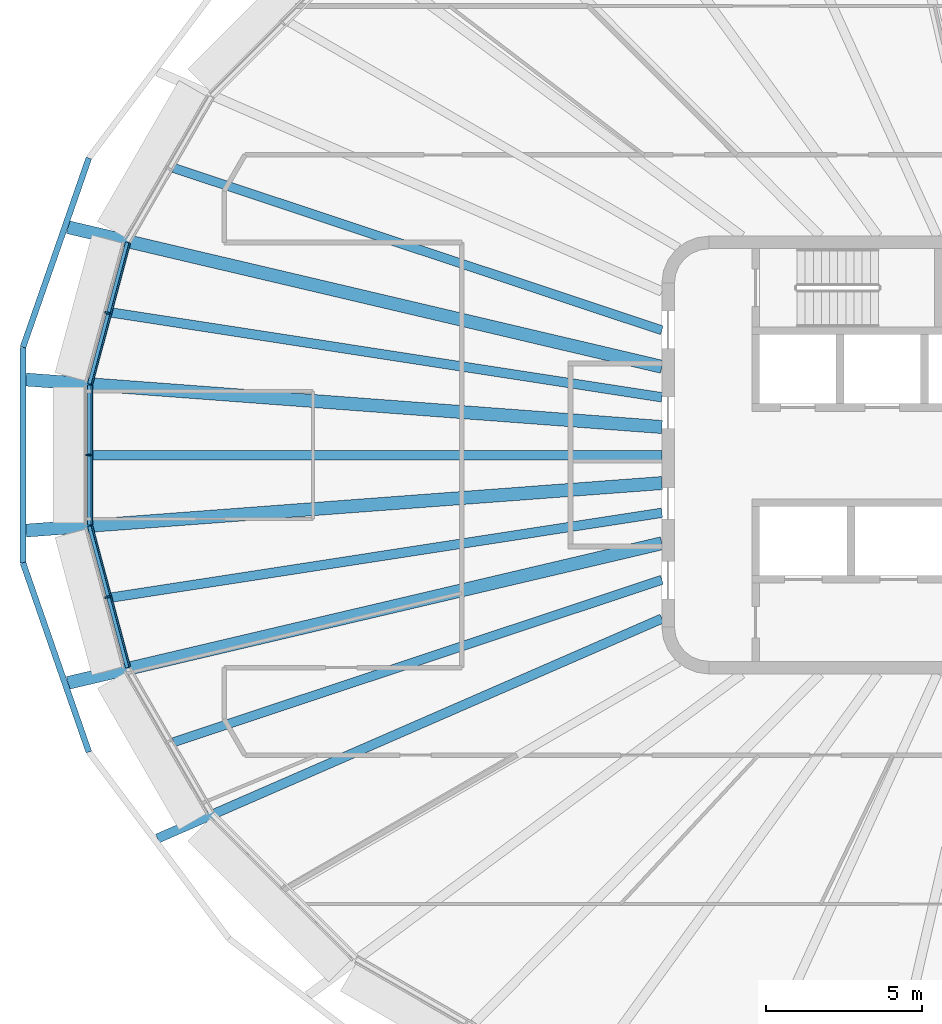
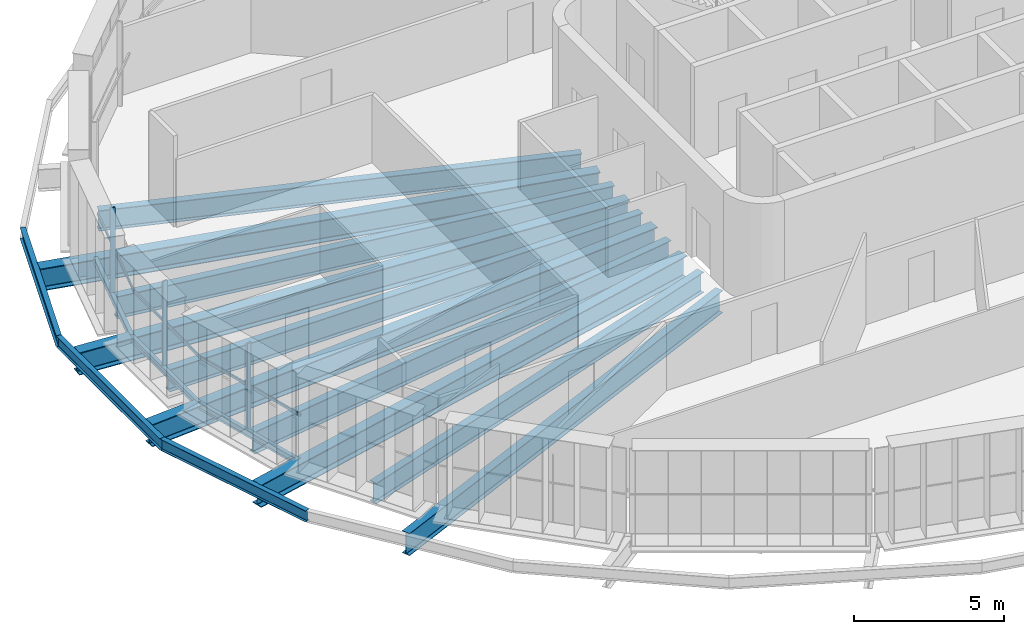
# One storey, part 2 of 19: 16 beams, 6 members, 3 elements without a shape of their own.
"""IFC4 building model written with IfcOpenShell, lengths in metres."""

from ifc_helpers import new_model, si_unit, direction, frame, origin, origin_2d, place, context, subcontext, project, spatial, rectangle, i_section, extrude, material, layer, layer_set, material_profile, profile_set, type_object, element, aggregate, save


model = new_model("IFC4")

# Units and contexts
model_context = context("Model", 3, precision=1e-05, world=origin(), true_north=direction((0.0, 1.0)))
body_context = subcontext(model_context, "Body", "Model", "MODEL_VIEW")
ifc_project = project(units=[si_unit("LENGTHUNIT", "METRE"), si_unit("AREAUNIT", "SQUARE_METRE"), si_unit("VOLUMEUNIT", "CUBIC_METRE"), si_unit("PLANEANGLEUNIT", "RADIAN"), si_unit("MASSUNIT", "GRAM", prefix="KILO")], contexts=[model_context])

# Site, building, storey
site_placement = place(None, origin())
site = spatial("IfcSite", under=ifc_project, at=site_placement, CompositionType="ELEMENT")
building_placement = place(site_placement, origin())
building = spatial("IfcBuilding", under=site, at=building_placement, Name="Sahrelin Media Tower", CompositionType="ELEMENT")
storey_placement = place(building_placement, frame((0.0, 0.0, 241.60009765625)))
storey = spatial("IfcBuildingStorey", under=building, at=storey_placement, Name="L52", CompositionType="ELEMENT", Elevation=241.60009765625)

# Beams
ifc_material_1 = material(Name="Steel S355", Category="steel")
ifc_material_profile_1 = material_profile(ifc_material_1, i_section(OverallWidth=0.14599609375, OverallDepth=0.25146484375, WebThickness=0.006103515625, FlangeThickness=0.008544921875, FilletRadius=0.007568359375, at=origin_2d()), Name="UB 254x146x31")
ifc_profile_set_1 = profile_set([ifc_material_profile_1], Name="Steel S355")
beam_type_1 = type_object("IfcBeamType", Name="Edge beam EB1", PredefinedType="BEAM", material=ifc_profile_set_1)
beam_1_placement = place(storey_placement, frame((-29.082763671875, -6.798095703125, -0.27587890625), z_axis=(-0.258770785767, 0.965938756047, 0.0), x_axis=(-0.965938756047, -0.258770785767, 0.0)))
element("IfcBeam", 1, at=beam_1_placement, inside=storey, type_object=beam_type_1, Name="Edge beam L52-12", PredefinedType="BEAM", context=body_context, shape_type="SweptSolid", body=[
    extrude(i_section(OverallWidth=0.14599609375, OverallDepth=0.25146484375, WebThickness=0.006103515625, FlangeThickness=0.008544921875, FilletRadius=0.007568359375, at=origin_2d()), origin(), (0.0, 0.0, 1.0), 4.68896484375),
])
beam_2_placement = place(storey_placement, frame((-30.300048828125, -2.240234375, -0.27587890625), z_axis=(0.0, 1.0, 0.0), x_axis=(-1.0, 0.0, 0.0)))
element("IfcBeam", 2, at=beam_2_placement, inside=storey, type_object=beam_type_1, Name="Edge beam L52-13", PredefinedType="BEAM", context=body_context, shape_type="SweptSolid", body=[
    extrude(i_section(OverallWidth=0.14599609375, OverallDepth=0.25146484375, WebThickness=0.006103515625, FlangeThickness=0.008544921875, FilletRadius=0.007568359375, at=origin_2d()), origin(), (0.0, 0.0, 1.0), 4.48046875),
])
beam_3_placement = place(storey_placement, frame((-30.296142578125, 2.268798828125, -0.27587890625), z_axis=(0.258770785767, 0.965938756047, 0.0), x_axis=(-0.965938756047, 0.258770785767, 0.0)))
element("IfcBeam", 3, at=beam_3_placement, inside=storey, type_object=beam_type_1, Name="Edge beam L52-14", PredefinedType="BEAM", context=body_context, shape_type="SweptSolid", body=[
    extrude(i_section(OverallWidth=0.14599609375, OverallDepth=0.25146484375, WebThickness=0.006103515625, FlangeThickness=0.008544921875, FilletRadius=0.007568359375, at=origin_2d()), origin(), (0.0, 0.0, 1.0), 4.68896484375),
])

# Curtain wall, member
ifc_material_2 = material(Name="Champagne anodised aluminium 6063-T6", Category="aluminium")
ifc_layer = layer(ifc_material_2, 0.14990234375)
ifc_layer_set = layer_set([ifc_layer], Name="Tower ribbon curtain wall")
curtain_wall_type = type_object("IfcCurtainWallType", Name="Tower ribbon curtain wall", PredefinedType="NOTDEFINED", material=ifc_layer_set)
curtain_wall_1_placement = place(storey_placement, frame((-29.834228515625, 4.572265625, 0.0), z_axis=(0.0, 0.0, 1.0), x_axis=(1.0, 0.0, 0.0)))
curtain_wall_1 = element("IfcCurtainWall", 4, at=curtain_wall_1_placement, inside=storey, type_object=curtain_wall_type, Name="L52:CW:L52-11", PredefinedType="NOTDEFINED")
ifc_material_profile_2 = material_profile(ifc_material_2, rectangle(XDim=0.06005859375, YDim=0.175048828125, at=origin_2d()), Name="Mullion 60x175")
ifc_profile_set_2 = profile_set([ifc_material_profile_2], Name="Champagne anodised aluminium 6063-T6")
member_type_1 = type_object("IfcMemberType", Name="Mullion 60x175 CW1B", PredefinedType="MULLION", material=ifc_profile_set_2)
member_1_placement = place(storey_placement, frame((-29.73046875, 4.54443359375, 0.0), z_axis=(0.0, 0.0, 1.0), x_axis=(-0.258812301662, -0.965927633163, 0.0)))
member_1 = element("IfcMember", 5, at=member_1_placement, type_object=member_type_1, Name="L52:CWM:L52-11", PredefinedType="MULLION", context=body_context, shape_type="SweptSolid", body=[
    extrude(rectangle(XDim=0.06005859375, YDim=0.175048828125, at=origin_2d()), origin(), (0.0, 0.0, 1.0), 3.448486328125),
])

curtain_wall_2_placement = place(storey_placement, frame((-30.449951171875, 0.0, 0.0), z_axis=(0.0, 0.0, 1.0), x_axis=(1.0, 0.0, 0.0)))
curtain_wall_2 = element("IfcCurtainWall", 6, at=curtain_wall_2_placement, inside=storey, type_object=curtain_wall_type, Name="L52:CW:L52-12", PredefinedType="NOTDEFINED")
member_2_placement = place(storey_placement, frame((-30.342529296875, 0.0, 0.0), z_axis=(0.0, 0.0, 1.0), x_axis=(0.0, -1.0, 0.0)))
member_2 = element("IfcMember", 7, at=member_2_placement, type_object=member_type_1, Name="L52:CWM:L52-12", PredefinedType="MULLION", context=body_context, shape_type="SweptSolid", body=[
    extrude(rectangle(XDim=0.06005859375, YDim=0.175048828125, at=origin_2d()), origin(), (0.0, 0.0, 1.0), 3.448486328125),
])

curtain_wall_3_placement = place(storey_placement, frame((-29.83447265625, -4.572265625, 0.0), z_axis=(0.0, 0.0, 1.0), x_axis=(1.0, 0.0, 0.0)))
curtain_wall_3 = element("IfcCurtainWall", 8, at=curtain_wall_3_placement, inside=storey, type_object=curtain_wall_type, Name="L52:CW:L52-13", PredefinedType="NOTDEFINED")
member_3_placement = place(storey_placement, frame((-29.73046875, -4.54443359375, 0.0), z_axis=(0.0, 0.0, 1.0), x_axis=(0.258812301662, -0.965927633163, 0.0)))
member_3 = element("IfcMember", 9, at=member_3_placement, type_object=member_type_1, Name="L52:CWM:L52-13", PredefinedType="MULLION", context=body_context, shape_type="SweptSolid", body=[
    extrude(rectangle(XDim=0.06005859375, YDim=0.175048828125, at=origin_2d()), origin(), (0.0, 0.0, 1.0), 3.448486328125),
])

# Beams
ifc_material_profile_3 = material_profile(ifc_material_1, i_section(OverallWidth=0.30322265625, OverallDepth=0.903076171875, WebThickness=0.01513671875, FlangeThickness=0.020263671875, FilletRadius=0.01904296875, at=origin_2d()), Name="UB 914x305x201")
ifc_profile_set_3 = profile_set([ifc_material_profile_3], Name="Steel S355")
beam_type_2 = type_object("IfcBeamType", Name="Radial primary beam PB11", PredefinedType="BEAM", material=ifc_profile_set_3)
beam_4_placement = place(storey_placement, frame((-12.0, -5.2314453125, -0.6015625), z_axis=(-0.916676810204, -0.399629360325, 0.0), x_axis=(0.399629360325, -0.916676810204, 0.0)))
element("IfcBeam", 10, at=beam_4_placement, inside=storey, type_object=beam_type_2, Name="Radial beam L52-15", PredefinedType="BEAM", context=body_context, shape_type="SweptSolid", body=[
    extrude(i_section(OverallWidth=0.30322265625, OverallDepth=0.903076171875, WebThickness=0.01513671875, FlangeThickness=0.020263671875, FilletRadius=0.01904296875, at=origin_2d()), origin(), (0.0, 0.0, 1.0), 17.5986328125),
])
ifc_material_profile_4 = material_profile(ifc_material_1, i_section(OverallWidth=0.41845703125, OverallDepth=0.911865234375, WebThickness=0.019287109375, FlangeThickness=0.031982421875, FilletRadius=0.024169921875, at=origin_2d()), Name="UB 914x419x343")
ifc_profile_set_4 = profile_set([ifc_material_profile_4], Name="Steel S355")
beam_type_3 = type_object("IfcBeamType", Name="Radial primary beam PB12", PredefinedType="BEAM", material=ifc_profile_set_4)
beam_5_placement = place(storey_placement, frame((-12.0, 2.8212890625, -0.60595703125), z_axis=(-0.973454238249, 0.228881729359, 0.0), x_axis=(-0.228881729359, -0.973454238249, 0.0)))
element("IfcBeam", 11, at=beam_5_placement, inside=storey, type_object=beam_type_3, Name="Radial beam L52-11", PredefinedType="BEAM", context=body_context, shape_type="SweptSolid", body=[
    extrude(i_section(OverallWidth=0.41845703125, OverallDepth=0.911865234375, WebThickness=0.019287109375, FlangeThickness=0.031982421875, FilletRadius=0.024169921875, at=origin_2d()), origin(), (0.0, 0.0, 1.0), 19.513671875),
])
for number, where, z_axis, x_axis, name in (
    (12, (-12.0, 0.896484375, -0.60595703125), (-0.9972224295, 0.074481045259, 0.0), (-0.074481045259, -0.9972224295, 0.0), "Radial beam L52-12"),
    (13, (-12.0, -0.896484375, -0.60595703125), (-0.9972224295, -0.074481045259, 0.0), (0.074481045259, -0.9972224295, 0.0), "Radial beam L52-13"),
):
    element("IfcBeam", number, at=place(storey_placement, frame(where, z_axis=z_axis, x_axis=x_axis)), inside=storey, type_object=beam_type_3, Name=name, PredefinedType="BEAM", context=body_context, shape_type="SweptSolid", body=[
        extrude(i_section(OverallWidth=0.41845703125, OverallDepth=0.911865234375, WebThickness=0.019287109375, FlangeThickness=0.031982421875, FilletRadius=0.024169921875, at=origin_2d()), origin(), (0.0, 0.0, 1.0), 20.39501953125),
    ])
beam_6_placement = place(storey_placement, frame((-12.0, -2.8212890625, -0.60595703125), z_axis=(-0.973454238249, -0.228881729359, 0.0), x_axis=(0.228881729359, -0.973454238249, 0.0)))
element("IfcBeam", 14, at=beam_6_placement, inside=storey, type_object=beam_type_3, Name="Radial beam L52-14", PredefinedType="BEAM", context=body_context, shape_type="SweptSolid", body=[
    extrude(i_section(OverallWidth=0.41845703125, OverallDepth=0.911865234375, WebThickness=0.019287109375, FlangeThickness=0.031982421875, FilletRadius=0.024169921875, at=origin_2d()), origin(), (0.0, 0.0, 1.0), 19.513671875),
])
ifc_material_profile_5 = material_profile(ifc_material_1, i_section(OverallWidth=0.291748046875, OverallDepth=0.8349609375, WebThickness=0.013916015625, FlangeThickness=0.018798828125, FilletRadius=0.017822265625, at=origin_2d()), Name="UB 838x292x176")
ifc_profile_set_5 = profile_set([ifc_material_profile_5], Name="Steel S355")
beam_type_4 = type_object("IfcBeamType", Name="Radial secondary beam SB10", PredefinedType="BEAM", material=ifc_profile_set_5)
for number, where, z_axis, x_axis, name in (
    (15, (-12.0, 3.990234375, -0.567626953125), (-0.948913009395, 0.315537795835, 0.0), (-0.315537795835, -0.948913009395, 0.0), "Secondary beam L52-10"),
    (16, (-12.0, -3.990234375, -0.567626953125), (-0.948913009395, -0.315537795835, 0.0), (0.315537795835, -0.948913009395, 0.0), "Secondary beam L52-14"),
):
    element("IfcBeam", number, at=place(storey_placement, frame(where, z_axis=z_axis, x_axis=x_axis)), inside=storey, type_object=beam_type_4, Name=name, PredefinedType="BEAM", context=body_context, shape_type="SweptSolid", body=[
        extrude(i_section(OverallWidth=0.291748046875, OverallDepth=0.8349609375, WebThickness=0.013916015625, FlangeThickness=0.018798828125, FilletRadius=0.017822265625, at=origin_2d()), origin(), (0.0, 0.0, 1.0), 16.45556640625),
    ])
ifc_material_profile_6 = material_profile(ifc_material_1, i_section(OverallWidth=0.30322265625, OverallDepth=0.903076171875, WebThickness=0.01513671875, FlangeThickness=0.020263671875, FilletRadius=0.01904296875, at=origin_2d()), Name="UB 914x305x201")
ifc_profile_set_6 = profile_set([ifc_material_profile_6], Name="Steel S355")
beam_type_5 = type_object("IfcBeamType", Name="Radial secondary beam SB11", PredefinedType="BEAM", material=ifc_profile_set_6)
beam_7_placement = place(storey_placement, frame((-12.0, 1.847412109375, -0.6015625), z_axis=(-0.988358068544, 0.152145747046, 0.0), x_axis=(-0.152145747046, -0.988358068544, 0.0)))
element("IfcBeam", 17, at=beam_7_placement, inside=storey, type_object=beam_type_5, Name="Secondary beam L52-11", PredefinedType="BEAM", context=body_context, shape_type="SweptSolid", body=[
    extrude(i_section(OverallWidth=0.30322265625, OverallDepth=0.903076171875, WebThickness=0.01513671875, FlangeThickness=0.020263671875, FilletRadius=0.01904296875, at=origin_2d()), origin(), (0.0, 0.0, 1.0), 17.81494140625),
])
beam_8_placement = place(storey_placement, frame((-12.0, 0.0, -0.6015625), z_axis=(-1.0, 0.0, 0.0), x_axis=(0.0, -1.0, 0.0)))
element("IfcBeam", 18, at=beam_8_placement, inside=storey, type_object=beam_type_5, Name="Secondary beam L52-12", PredefinedType="BEAM", context=body_context, shape_type="SweptSolid", body=[
    extrude(i_section(OverallWidth=0.30322265625, OverallDepth=0.903076171875, WebThickness=0.01513671875, FlangeThickness=0.020263671875, FilletRadius=0.01904296875, at=origin_2d()), origin(), (0.0, 0.0, 1.0), 18.22705078125),
])
beam_9_placement = place(storey_placement, frame((-12.0, -1.847412109375, -0.6015625), z_axis=(-0.988358068544, -0.152145747046, 0.0), x_axis=(0.152145747046, -0.988358068544, 0.0)))
element("IfcBeam", 19, at=beam_9_placement, inside=storey, type_object=beam_type_5, Name="Secondary beam L52-13", PredefinedType="BEAM", context=body_context, shape_type="SweptSolid", body=[
    extrude(i_section(OverallWidth=0.30322265625, OverallDepth=0.903076171875, WebThickness=0.01513671875, FlangeThickness=0.020263671875, FilletRadius=0.01904296875, at=origin_2d()), origin(), (0.0, 0.0, 1.0), 17.81494140625),
])
ifc_material_profile_7 = material_profile(ifc_material_1, i_section(OverallWidth=0.1904296875, OverallDepth=0.45703125, WebThickness=0.009033203125, FlangeThickness=0.014404296875, FilletRadius=0.01025390625, at=origin_2d()), Name="UB 457x191x74")
ifc_profile_set_7 = profile_set([ifc_material_profile_7], Name="Steel S355")
beam_type_6 = type_object("IfcBeamType", Name="Tie chord TC5", PredefinedType="BEAM", material=ifc_profile_set_7)
beam_10_placement = place(storey_placement, frame((-30.327392578125, 9.49658203125, -0.378662109375), z_axis=(-0.328799998058, -0.944399577127, 0.0), x_axis=(0.944399577127, -0.328799998058, 0.0)))
element("IfcBeam", 20, at=beam_10_placement, inside=storey, type_object=beam_type_6, Name="Tie chord L52-11", PredefinedType="BEAM", context=body_context, shape_type="SweptSolid", body=[
    extrude(i_section(OverallWidth=0.1904296875, OverallDepth=0.45703125, WebThickness=0.009033203125, FlangeThickness=0.014404296875, FilletRadius=0.01025390625, at=origin_2d()), origin(), (0.0, 0.0, 1.0), 6.40576171875),
])
beam_11_placement = place(storey_placement, frame((-32.43359375, 3.447021484375, -0.378662109375), z_axis=(0.0, -1.0, 0.0), x_axis=(1.0, 0.0, 0.0)))
element("IfcBeam", 21, at=beam_11_placement, inside=storey, type_object=beam_type_6, Name="Tie chord L52-12", PredefinedType="BEAM", context=body_context, shape_type="SweptSolid", body=[
    extrude(i_section(OverallWidth=0.1904296875, OverallDepth=0.45703125, WebThickness=0.009033203125, FlangeThickness=0.014404296875, FilletRadius=0.01025390625, at=origin_2d()), origin(), (0.0, 0.0, 1.0), 6.89404296875),
])
beam_12_placement = place(storey_placement, frame((-32.43359375, -3.447021484375, -0.378662109375), z_axis=(0.328799998058, -0.944399577127, 0.0), x_axis=(0.944399577127, 0.328799998058, 0.0)))
element("IfcBeam", 22, at=beam_12_placement, inside=storey, type_object=beam_type_6, Name="Tie chord L52-13", PredefinedType="BEAM", context=body_context, shape_type="SweptSolid", body=[
    extrude(i_section(OverallWidth=0.1904296875, OverallDepth=0.45703125, WebThickness=0.009033203125, FlangeThickness=0.014404296875, FilletRadius=0.01025390625, at=origin_2d()), origin(), (0.0, 0.0, 1.0), 6.40576171875),
])

# Member
ifc_material_profile_8 = material_profile(ifc_material_2, rectangle(XDim=0.050048828125, YDim=0.110107421875, at=origin_2d()), Name="Transom 50x110")
ifc_profile_set_8 = profile_set([ifc_material_profile_8], Name="Champagne anodised aluminium 6063-T6")
member_type_2 = type_object("IfcMemberType", Name="Transom 50x110 CW1B", PredefinedType="USERDEFINED", material=ifc_profile_set_8)
member_4_placement = place(storey_placement, frame((-29.01904296875, 6.7646484375, 1.599853515625), z_axis=(-0.258843509974, -0.965919270614, 0.0), x_axis=(0.965919270614, -0.258843509974, 0.0)))
member_4 = element("IfcMember", 23, at=member_4_placement, type_object=member_type_2, Name="L52:CWT:L52-11", ObjectType="TRANSOM", PredefinedType="USERDEFINED", context=body_context, shape_type="SweptSolid", body=[
    extrude(rectangle(XDim=0.050048828125, YDim=0.110107421875, at=origin_2d()), origin(), (0.0, 0.0, 1.0), 4.657470703125),
])

aggregate(curtain_wall_1, [member_1, member_4])

member_5_placement = place(storey_placement, frame((-30.22998046875, 2.224609375, 1.599853515625), z_axis=(0.0, -1.0, 0.0), x_axis=(1.0, 0.0, 0.0)))
member_5 = element("IfcMember", 24, at=member_5_placement, type_object=member_type_2, Name="L52:CWT:L52-12", ObjectType="TRANSOM", PredefinedType="USERDEFINED", context=body_context, shape_type="SweptSolid", body=[
    extrude(rectangle(XDim=0.050048828125, YDim=0.110107421875, at=origin_2d()), origin(), (0.0, 0.0, 1.0), 4.44921875),
])

aggregate(curtain_wall_2, [member_2, member_5])

member_6_placement = place(storey_placement, frame((-30.224609375, -2.265869140625, 1.599853515625), z_axis=(0.258843509974, -0.965919270614, 0.0), x_axis=(0.965919270614, 0.258843509974, 0.0)))
member_6 = element("IfcMember", 25, at=member_6_placement, type_object=member_type_2, Name="L52:CWT:L52-13", ObjectType="TRANSOM", PredefinedType="USERDEFINED", context=body_context, shape_type="SweptSolid", body=[
    extrude(rectangle(XDim=0.050048828125, YDim=0.110107421875, at=origin_2d()), origin(), (0.0, 0.0, 1.0), 4.657470703125),
])

aggregate(curtain_wall_3, [member_3, member_6])

save(model, "model.ifc")
